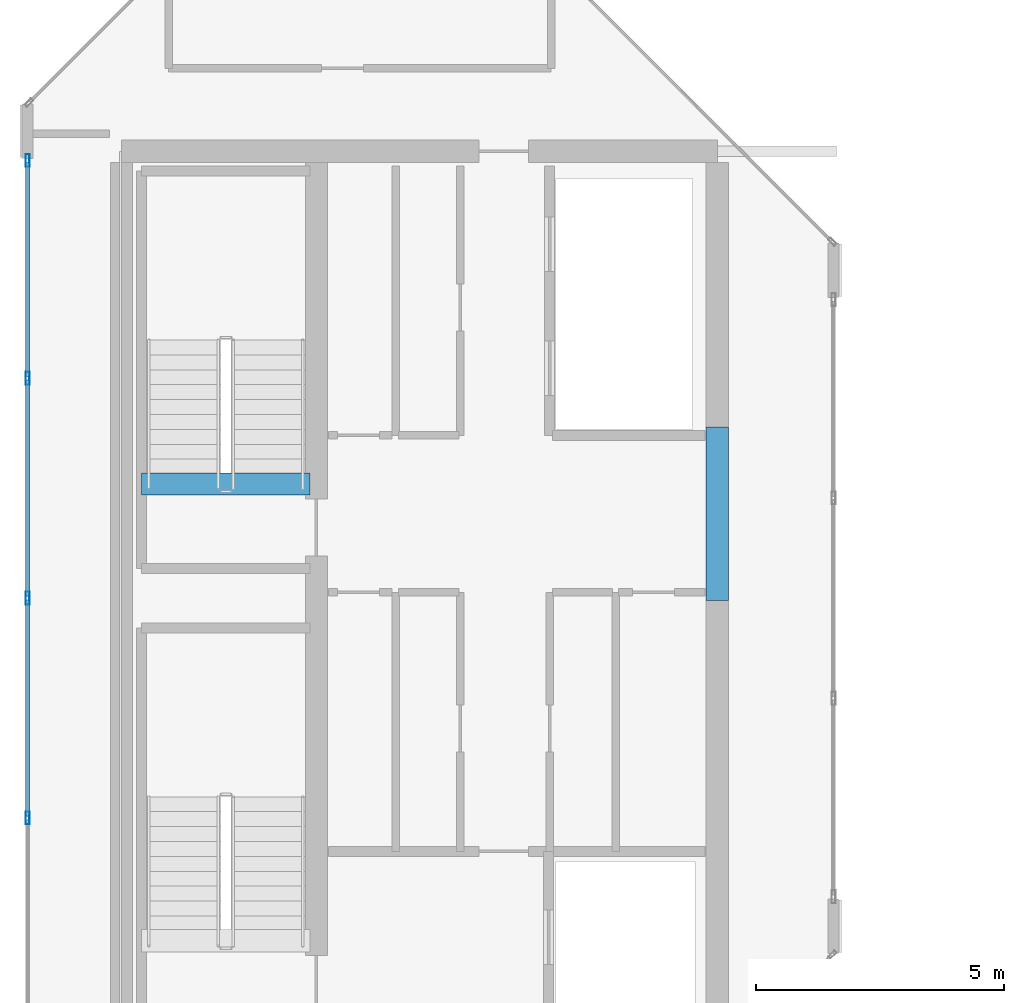
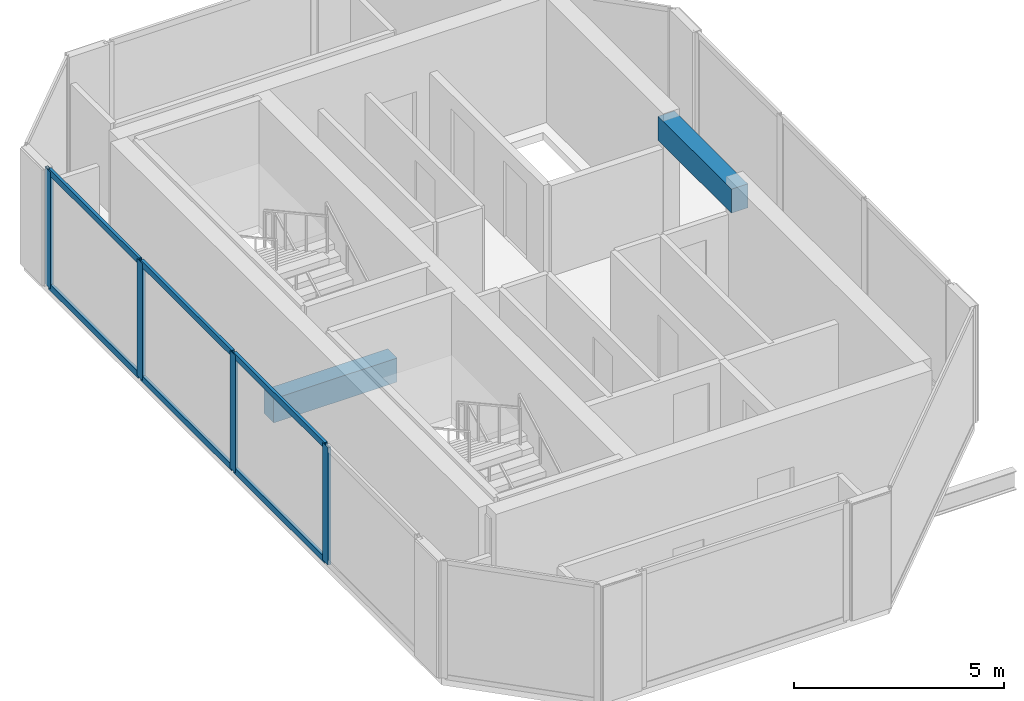
# One storey, part 4 of 30: 10 members, 2 beams, 1 element without a shape of its own.
"""IFC4 building model written with IfcOpenShell, lengths in metres."""

from ifc_helpers import new_model, si_unit, direction, frame, origin, origin_2d, place, context, subcontext, project, spatial, rectangle, hollow_rectangle, extrude, material, layer, layer_set, material_profile, profile_set, type_object, element, aggregate, save


model = new_model("IFC4")

# Units and contexts
model_context = context("Model", 3, precision=1e-05, world=origin(), true_north=direction((0.0, 1.0)))
body_context = subcontext(model_context, "Body", "Model", "MODEL_VIEW")
ifc_project = project(units=[si_unit("LENGTHUNIT", "METRE"), si_unit("AREAUNIT", "SQUARE_METRE"), si_unit("VOLUMEUNIT", "CUBIC_METRE"), si_unit("PLANEANGLEUNIT", "RADIAN"), si_unit("MASSUNIT", "GRAM", prefix="KILO")], contexts=[model_context])

# Site, building, storey
site_placement = place(None, origin())
site = spatial("IfcSite", under=ifc_project, at=site_placement, CompositionType="ELEMENT")
building_placement = place(site_placement, origin())
building = spatial("IfcBuilding", under=site, at=building_placement, Name="Tanjung Sevakor Pilgrim Tower", CompositionType="ELEMENT")
storey_placement = place(building_placement, frame((0.0, 0.0, 253.43994140625)))
storey = spatial("IfcBuildingStorey", under=building, at=storey_placement, Name="L71", CompositionType="ELEMENT", Elevation=253.43994140625)

# Beams
ifc_material_1 = material(Name="Concrete C60/75", Category="concrete")
ifc_material_profile_1 = material_profile(ifc_material_1, rectangle(XDim=0.449951171875, YDim=0.699951171875, at=origin_2d()))
ifc_profile_set_1 = profile_set([ifc_material_profile_1], Name="Concrete C60/75")
beam_type = type_object("IfcBeamType", Name="BM-B-LN3-RC-BM_450x700", PredefinedType="LINTEL", material=ifc_profile_set_1)
beam_1_placement = place(storey_placement, frame((36.0, 33.550048828125, 3.06005859375), z_axis=(0.0, 1.0, 0.0), x_axis=(-1.0, 0.0, 0.0)))
element("IfcBeam", 1, at=beam_1_placement, inside=storey, type_object=beam_type, Name="L71 W Core Coupling Lintel", PredefinedType="LINTEL", context=body_context, shape_type="SweptSolid", body=[
    extrude(rectangle(XDim=0.449951171875, YDim=0.699951171875, at=origin_2d()), origin(), (0.0, 0.0, 1.0), 3.5),
])
beam_2_placement = place(storey_placement, frame((24.39990234375, 35.89990234375, -0.349853515625), z_axis=(1.0, 0.0, 0.0), x_axis=(0.0, 1.0, 0.0)))
element("IfcBeam", 2, at=beam_2_placement, inside=storey, type_object=beam_type, Name="L71 TS-W2 Stair Threshold Beam", PredefinedType="LINTEL", context=body_context, shape_type="SweptSolid", body=[
    extrude(rectangle(XDim=0.449951171875, YDim=0.699951171875, at=origin_2d()), origin(), (0.0, 0.0, 1.0), 3.400146484375),
])

# Curtain wall, members
ifc_material_2 = material(Name="Aluminium 6063-T6 and Low-E Glass", Category="aluminium")
ifc_layer = layer(ifc_material_2, 0.199951171875)
ifc_layer_set = layer_set([ifc_layer], Name="CW-SYS-CRNW")
curtain_wall_type = type_object("IfcCurtainWallType", Name="CW-SYS-CRNW", PredefinedType="NOTDEFINED", material=ifc_layer_set)
curtain_wall_placement = place(storey_placement, origin())
curtain_wall = element("IfcCurtainWall", 3, at=curtain_wall_placement, inside=storey, type_object=curtain_wall_type, Name="L71 Curtain Wall CW-CRN-L71-WEST-6-1", PredefinedType="NOTDEFINED")
ifc_material_3 = material(Name="Aluminium 6063-T6", Category="aluminium")
ifc_material_profile_2 = material_profile(ifc_material_3, hollow_rectangle(XDim=0.080078125, YDim=0.260009765625, WallThickness=0.0048828125, at=origin_2d()))
ifc_profile_set_2 = profile_set([ifc_material_profile_2], Name="Aluminium 6063-T6")
member_type_1 = type_object("IfcMemberType", Name="TYPE-CWM-3", PredefinedType="MULLION", material=ifc_profile_set_2)
member_1_placement = place(storey_placement, frame((22.110107421875, 42.414306640625, 0.0), z_axis=(0.0, 0.0, 1.0), x_axis=(1.0, 0.0, 0.0)))
member_1 = element("IfcMember", 4, at=member_1_placement, type_object=member_type_1, Name="CW-CRW mullion 1", PredefinedType="MULLION", context=body_context, shape_type="SweptSolid", body=[
    extrude(hollow_rectangle(XDim=0.080078125, YDim=0.260009765625, WallThickness=0.0048828125, at=origin_2d()), origin(), (0.0, 0.0, 1.0), 3.41015625),
])
member_2_placement = place(storey_placement, frame((22.110107421875, 38.027099609375, 0.0), z_axis=(0.0, 0.0, 1.0), x_axis=(1.0, 0.0, 0.0)))
member_2 = element("IfcMember", 5, at=member_2_placement, type_object=member_type_1, Name="CW-CRW mullion 2", PredefinedType="MULLION", context=body_context, shape_type="SweptSolid", body=[
    extrude(hollow_rectangle(XDim=0.080078125, YDim=0.260009765625, WallThickness=0.0048828125, at=origin_2d()), origin(), (0.0, 0.0, 1.0), 3.41015625),
])
member_3_placement = place(storey_placement, frame((22.110107421875, 33.60009765625, 0.0), z_axis=(0.0, 0.0, 1.0), x_axis=(1.0, 0.0, 0.0)))
member_3 = element("IfcMember", 6, at=member_3_placement, type_object=member_type_1, Name="CW-CRW mullion 3", PredefinedType="MULLION", context=body_context, shape_type="SweptSolid", body=[
    extrude(hollow_rectangle(XDim=0.080078125, YDim=0.260009765625, WallThickness=0.0048828125, at=origin_2d()), origin(), (0.0, 0.0, 1.0), 3.41015625),
])
member_4_placement = place(storey_placement, frame((22.110107421875, 29.1728515625, 0.0), z_axis=(0.0, 0.0, 1.0), x_axis=(1.0, 0.0, 0.0)))
member_4 = element("IfcMember", 7, at=member_4_placement, type_object=member_type_1, Name="CW-CRW mullion 4", PredefinedType="MULLION", context=body_context, shape_type="SweptSolid", body=[
    extrude(hollow_rectangle(XDim=0.080078125, YDim=0.260009765625, WallThickness=0.0048828125, at=origin_2d()), origin(), (0.0, 0.0, 1.0), 3.41015625),
])
ifc_material_4 = material(Name="Aluminium 6063-T6", Category="aluminium")
ifc_material_profile_3 = material_profile(ifc_material_4, hollow_rectangle(XDim=0.080078125, YDim=0.179931640625, WallThickness=0.0048828125, at=origin_2d()))
ifc_profile_set_3 = profile_set([ifc_material_profile_3], Name="Aluminium 6063-T6")
member_type_2 = type_object("IfcMemberType", Name="TYPE-CWT-3", PredefinedType="USERDEFINED", material=ifc_profile_set_3)
member_5_placement = place(storey_placement, frame((22.110107421875, 42.37451171875, 0.0400390625), z_axis=(0.0, -1.0, 0.0), x_axis=(1.0, 0.0, 0.0)))
member_5 = element("IfcMember", 8, at=member_5_placement, type_object=member_type_2, Name="CW-CRW transom 1.1", ObjectType="TRANSOM", PredefinedType="USERDEFINED", context=body_context, shape_type="SweptSolid", body=[
    extrude(hollow_rectangle(XDim=0.080078125, YDim=0.179931640625, WallThickness=0.0048828125, at=origin_2d()), origin(), (0.0, 0.0, 1.0), 4.307373046875),
])
member_6_placement = place(storey_placement, frame((22.110107421875, 42.37451171875, 3.3701171875), z_axis=(0.0, -1.0, 0.0), x_axis=(1.0, 0.0, 0.0)))
member_6 = element("IfcMember", 9, at=member_6_placement, type_object=member_type_2, Name="CW-CRW transom 1.2", ObjectType="TRANSOM", PredefinedType="USERDEFINED", context=body_context, shape_type="SweptSolid", body=[
    extrude(hollow_rectangle(XDim=0.080078125, YDim=0.179931640625, WallThickness=0.0048828125, at=origin_2d()), origin(), (0.0, 0.0, 1.0), 4.307373046875),
])
member_7_placement = place(storey_placement, frame((22.110107421875, 37.9873046875, 0.0400390625), z_axis=(0.0, -1.0, 0.0), x_axis=(1.0, 0.0, 0.0)))
member_7 = element("IfcMember", 10, at=member_7_placement, type_object=member_type_2, Name="CW-CRW transom 2.1", ObjectType="TRANSOM", PredefinedType="USERDEFINED", context=body_context, shape_type="SweptSolid", body=[
    extrude(hollow_rectangle(XDim=0.080078125, YDim=0.179931640625, WallThickness=0.0048828125, at=origin_2d()), origin(), (0.0, 0.0, 1.0), 4.347412109375),
])
member_8_placement = place(storey_placement, frame((22.110107421875, 37.9873046875, 3.3701171875), z_axis=(0.0, -1.0, 0.0), x_axis=(1.0, 0.0, 0.0)))
member_8 = element("IfcMember", 11, at=member_8_placement, type_object=member_type_2, Name="CW-CRW transom 2.2", ObjectType="TRANSOM", PredefinedType="USERDEFINED", context=body_context, shape_type="SweptSolid", body=[
    extrude(hollow_rectangle(XDim=0.080078125, YDim=0.179931640625, WallThickness=0.0048828125, at=origin_2d()), origin(), (0.0, 0.0, 1.0), 4.347412109375),
])
member_9_placement = place(storey_placement, frame((22.110107421875, 33.56005859375, 0.0400390625), z_axis=(0.0, -1.0, 0.0), x_axis=(1.0, 0.0, 0.0)))
member_9 = element("IfcMember", 12, at=member_9_placement, type_object=member_type_2, Name="CW-CRW transom 3.1", ObjectType="TRANSOM", PredefinedType="USERDEFINED", context=body_context, shape_type="SweptSolid", body=[
    extrude(hollow_rectangle(XDim=0.080078125, YDim=0.179931640625, WallThickness=0.0048828125, at=origin_2d()), origin(), (0.0, 0.0, 1.0), 4.34716796875),
])
member_10_placement = place(storey_placement, frame((22.110107421875, 33.56005859375, 3.3701171875), z_axis=(0.0, -1.0, 0.0), x_axis=(1.0, 0.0, 0.0)))
member_10 = element("IfcMember", 13, at=member_10_placement, type_object=member_type_2, Name="CW-CRW transom 3.2", ObjectType="TRANSOM", PredefinedType="USERDEFINED", context=body_context, shape_type="SweptSolid", body=[
    extrude(hollow_rectangle(XDim=0.080078125, YDim=0.179931640625, WallThickness=0.0048828125, at=origin_2d()), origin(), (0.0, 0.0, 1.0), 4.34716796875),
])
aggregate(curtain_wall, [member_1, member_2, member_3, member_4, member_5, member_6, member_7, member_8, member_9, member_10])

save(model, "model.ifc")
